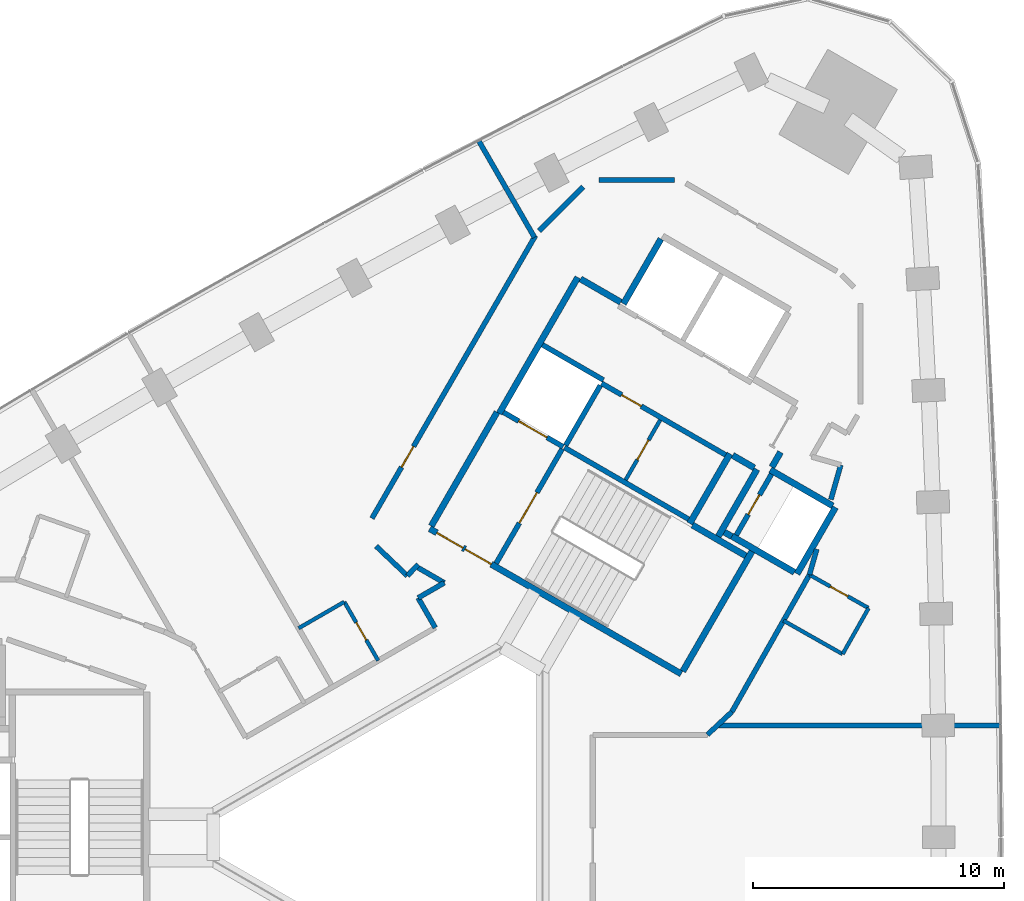
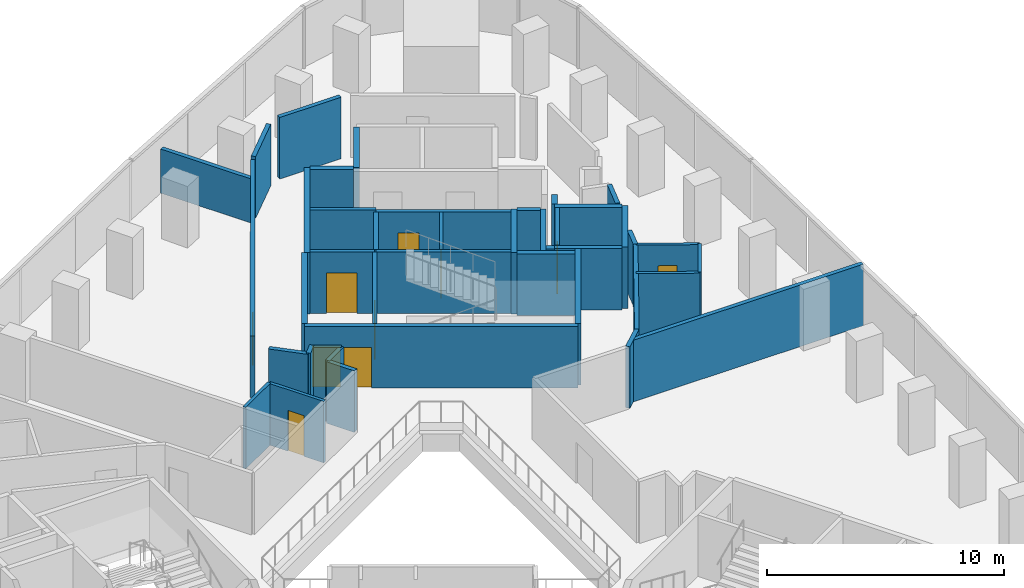
# One storey, part 10 of 12: 42 walls, 10 doors, 10 openings.
"""IFC4 building model written with IfcOpenShell, lengths in metres."""

from ifc_helpers import new_model, si_unit, direction, frame, frame_2d, origin, place, context, subcontext, project, spatial, rectangle, extrude, material, layer, layer_set, type_object, element, fill, save


model = new_model("IFC4")

# Units and contexts
model_context = context("Model", 3, precision=1e-05, world=origin(), true_north=direction((0.0, 1.0)))
body_context = subcontext(model_context, "Body", "Model", "MODEL_VIEW")
ifc_project = project(units=[si_unit("LENGTHUNIT", "METRE"), si_unit("AREAUNIT", "SQUARE_METRE"), si_unit("VOLUMEUNIT", "CUBIC_METRE"), si_unit("PLANEANGLEUNIT", "RADIAN"), si_unit("MASSUNIT", "GRAM", prefix="KILO")], contexts=[model_context])

# Site, building, storey
site_placement = place(None, origin())
site = spatial("IfcSite", under=ifc_project, at=site_placement, CompositionType="ELEMENT")
building_placement = place(site_placement, origin())
building = spatial("IfcBuilding", under=site, at=building_placement, Name="Tamra Quay Hotel Tower", CompositionType="ELEMENT")
storey_placement = place(building_placement, frame((0.0, 0.0, 104.60009765625)))
storey = spatial("IfcBuildingStorey", under=building, at=storey_placement, Name="L25", CompositionType="ELEMENT", Elevation=104.60009765625)

# Wall
ifc_material_1 = material(Name="Concrete M70", Category="concrete")
ifc_layer_1 = layer(ifc_material_1, 0.199951171875)
ifc_layer_set_1 = layer_set([ifc_layer_1], Name="Concrete M70 core wall 200")
wall_type_1 = type_object("IfcWallType", Name="Concrete M70 core wall 200", PredefinedType="SHEAR", material=ifc_layer_set_1)
wall_1_placement = place(storey_placement, frame((5.774658203125, 15.501953125, 0.0), z_axis=(0.0, 0.0, 1.0), x_axis=(0.866020080793, -0.500009219579, 0.0)))
element("IfcWall", 1, at=wall_1_placement, inside=storey, type_object=wall_type_1, Name="CW2", PredefinedType="SHEAR", context=body_context, shape_type="SweptSolid", body=[
    extrude(rectangle(XDim=5.69921875, YDim=0.199951171875, at=frame_2d((2.849609375, 0.0))), origin(), (0.0, 0.0, 1.0), 3.1748046875),
])

# Wall, opening, door
wall_2_placement = place(storey_placement, frame((12.18505859375, 15.20703125, 0.0), z_axis=(0.0, 0.0, 1.0), x_axis=(-0.866020080793, 0.500009219579, 0.0)))
wall_2 = element("IfcWall", 2, at=wall_2_placement, inside=storey, type_object=wall_type_1, Name="CW2", PredefinedType="SHEAR", context=body_context, shape_type="SweptSolid", body=[
    extrude(rectangle(XDim=5.69921875, YDim=0.199951171875, at=frame_2d((2.849609375, 0.0))), origin(), (0.0, 0.0, 1.0), 3.1748046875),
])
opening_1_placement = place(wall_2_placement, frame((3.8740234375, 0.0, 0.0)))
opening_1 = element("IfcOpeningElement", 3, at=opening_1_placement, cuts=wall_2, Name="Opening D2", PredefinedType="OPENING", context=body_context, shape_type="SweptSolid", body=[
    extrude(rectangle(XDim=0.89990234375, YDim=2.10009765625, at=frame_2d((0.449951171875, 1.050048828125))), frame((0.0, 0.10986328125, 0.0), z_axis=(0.0, -1.0, 0.0), x_axis=(1.0, 0.0, 0.0)), (0.0, 0.0, 1.0), 0.219970703125),
])
ifc_material_2 = material(Name="Core door D2 900x2100 LH")
door_type_1 = type_object("IfcDoorType", Name="Core door D2 900x2100 LH", OperationType="NOTDEFINED", PredefinedType="DOOR", material=ifc_material_2)
door_1_placement = place(opening_1_placement, origin())
door_1 = element("IfcDoor", 4, at=door_1_placement, inside=storey, type_object=door_type_1, Name="D2", OperationType="SINGLE_SWING_LEFT", OverallHeight=2.10009765625, OverallWidth=0.89990234375, PredefinedType="DOOR", context=body_context, shape_type="SweptSolid", body=[
    extrude(rectangle(XDim=0.89990234375, YDim=2.10009765625, at=frame_2d((0.449951171875, 1.050048828125))), frame((0.0, 0.02490234375, 0.0), z_axis=(0.0, -1.0, 0.0), x_axis=(1.0, 0.0, 0.0)), (0.0, 0.0, 1.0), 0.050048828125),
])
fill(opening_1, door_1)

wall_3_placement = place(storey_placement, frame((3.056640625, 10.89453125, 0.0), z_axis=(0.0, 0.0, 1.0), x_axis=(0.499989418164, 0.866031513124, 0.0)))
wall_3 = element("IfcWall", 5, at=wall_3_placement, inside=storey, type_object=wall_type_1, Name="CW2", PredefinedType="SHEAR", context=body_context, shape_type="SweptSolid", body=[
    extrude(rectangle(XDim=5.2509765625, YDim=0.199951171875, at=frame_2d((2.62548828125, 0.0))), origin(), (0.0, 0.0, 1.0), 3.1748046875),
])
opening_2_placement = place(wall_3_placement, frame((1.84912109375, 0.0, 0.0)))
opening_2 = element("IfcOpeningElement", 6, at=opening_2_placement, cuts=wall_3, Name="Opening FD2", PredefinedType="OPENING", context=body_context, shape_type="SweptSolid", body=[
    extrude(rectangle(XDim=1.39990234375, YDim=2.10009765625, at=frame_2d((0.699951171875, 1.050048828125))), frame((0.0, 0.10986328125, 0.0), z_axis=(0.0, -1.0, 0.0), x_axis=(1.0, 0.0, 0.0)), (0.0, 0.0, 1.0), 0.219970703125),
])
ifc_material_3 = material(Name="Core door FD2 1400x2100 RH")
door_type_2 = type_object("IfcDoorType", Name="Core door FD2 1400x2100 RH", OperationType="NOTDEFINED", PredefinedType="DOOR", material=ifc_material_3)
door_2_placement = place(opening_2_placement, origin())
door_2 = element("IfcDoor", 7, at=door_2_placement, inside=storey, type_object=door_type_2, Name="FD2", OperationType="SINGLE_SWING_RIGHT", OverallHeight=2.10009765625, OverallWidth=1.39990234375, PredefinedType="DOOR", context=body_context, shape_type="SweptSolid", body=[
    extrude(rectangle(XDim=1.39990234375, YDim=2.10009765625, at=frame_2d((0.699951171875, 1.050048828125))), frame((0.0, 0.02490234375, 0.0), z_axis=(0.0, -1.0, 0.0), x_axis=(1.0, 0.0, 0.0)), (0.0, 0.0, 1.0), 0.050048828125),
])
fill(opening_2, door_2)

wall_4_placement = place(storey_placement, frame((14.0078125, 14.442138671875, 0.0), z_axis=(0.0, 0.0, 1.0), x_axis=(-0.499986818241, -0.866033014143, 0.0)))
wall_4 = element("IfcWall", 8, at=wall_4_placement, inside=storey, type_object=wall_type_1, Name="CW2", PredefinedType="SHEAR", context=body_context, shape_type="SweptSolid", body=[
    extrude(rectangle(XDim=2.7978515625, YDim=0.199951171875, at=frame_2d((1.39892578125, 0.0))), origin(), (0.0, 0.0, 1.0), 3.1748046875),
])
opening_3_placement = place(wall_4_placement, frame((0.948974609375, 0.0, 0.0)))
opening_3 = element("IfcOpeningElement", 9, at=opening_3_placement, cuts=wall_4, Name="Opening D1", PredefinedType="OPENING", context=body_context, shape_type="SweptSolid", body=[
    extrude(rectangle(XDim=0.89990234375, YDim=2.10009765625, at=frame_2d((0.449951171875, 1.050048828125))), frame((0.0, 0.10986328125, 0.0), z_axis=(0.0, -1.0, 0.0), x_axis=(1.0, 0.0, 0.0)), (0.0, 0.0, 1.0), 0.219970703125),
])
ifc_material_4 = material(Name="Core door D1 900x2100 RH")
door_type_3 = type_object("IfcDoorType", Name="Core door D1 900x2100 RH", OperationType="NOTDEFINED", PredefinedType="DOOR", material=ifc_material_4)
door_3_placement = place(opening_3_placement, origin())
door_3 = element("IfcDoor", 10, at=door_3_placement, inside=storey, type_object=door_type_3, Name="D1", OperationType="SINGLE_SWING_RIGHT", OverallHeight=2.10009765625, OverallWidth=0.89990234375, PredefinedType="DOOR", context=body_context, shape_type="SweptSolid", body=[
    extrude(rectangle(XDim=0.89990234375, YDim=2.10009765625, at=frame_2d((0.449951171875, 1.050048828125))), frame((0.0, 0.02490234375, 0.0), z_axis=(0.0, -1.0, 0.0), x_axis=(1.0, 0.0, 0.0)), (0.0, 0.0, 1.0), 0.050048828125),
])
fill(opening_3, door_3)

# Wall
wall_5_placement = place(storey_placement, frame((7.199462890625, 17.969970703125, 0.0), z_axis=(0.0, 0.0, 1.0), x_axis=(-0.499968400327, -0.866043647095, 0.0)))
element("IfcWall", 11, at=wall_5_placement, inside=storey, type_object=wall_type_1, Name="CW2", PredefinedType="SHEAR", context=body_context, shape_type="SweptSolid", body=[
    extrude(rectangle(XDim=2.749755859375, YDim=0.199951171875, at=frame_2d((1.375, 0.0))), origin(), (0.0, 0.0, 1.0), 3.1748046875),
])

# Wall, opening, door
wall_6_placement = place(storey_placement, frame((5.72509765625, 15.530517578125, 0.0), z_axis=(0.0, 0.0, 1.0), x_axis=(-0.866037306777, 0.499979382845, 0.0)))
wall_6 = element("IfcWall", 12, at=wall_6_placement, inside=storey, type_object=wall_type_1, Name="CW2", PredefinedType="SHEAR", context=body_context, shape_type="SweptSolid", body=[
    extrude(rectangle(XDim=2.74169921875, YDim=0.199951171875, at=frame_2d((1.370849609375, 0.0))), origin(), (0.0, 0.0, 1.0), 3.1748046875),
])
opening_4_placement = place(wall_6_placement, frame((0.742919921875, 0.0, 0.0)))
opening_4 = element("IfcOpeningElement", 13, at=opening_4_placement, cuts=wall_6, Name="Opening LD", PredefinedType="OPENING", context=body_context, shape_type="SweptSolid", body=[
    extrude(rectangle(XDim=1.300048828125, YDim=2.10009765625, at=frame_2d((0.64990234375, 1.050048828125))), frame((0.0, 0.10986328125, 0.0), z_axis=(0.0, -1.0, 0.0), x_axis=(1.0, 0.0, 0.0)), (0.0, 0.0, 1.0), 0.219970703125),
])
ifc_material_5 = material(Name="Landing door LD 1300 sliding to right")
door_type_4 = type_object("IfcDoorType", Name="Landing door LD 1300 sliding to right", OperationType="NOTDEFINED", PredefinedType="DOOR", material=ifc_material_5)
door_4_placement = place(opening_4_placement, origin())
door_4 = element("IfcDoor", 14, at=door_4_placement, inside=storey, type_object=door_type_4, Name="LD", OperationType="SLIDING_TO_RIGHT", OverallHeight=2.10009765625, OverallWidth=1.300048828125, PredefinedType="DOOR", context=body_context, shape_type="SweptSolid", body=[
    extrude(rectangle(XDim=1.300048828125, YDim=2.10009765625, at=frame_2d((0.64990234375, 1.050048828125))), frame((0.0, 0.02490234375, 0.0), z_axis=(0.0, -1.0, 0.0), x_axis=(1.0, 0.0, 0.0)), (0.0, 0.0, 1.0), 0.050048828125),
])
fill(opening_4, door_4)

# Wall
wall_7_placement = place(storey_placement, frame((4.900634765625, 19.5859375, 0.0), z_axis=(0.0, 0.0, 1.0), x_axis=(0.866022890907, -0.500004352405, 0.0)))
element("IfcWall", 15, at=wall_7_placement, inside=storey, type_object=wall_type_1, Name="CW2", PredefinedType="SHEAR", context=body_context, shape_type="SweptSolid", body=[
    extrude(rectangle(XDim=2.798828125, YDim=0.199951171875, at=frame_2d((1.3994140625, 0.0))), origin(), (0.0, 0.0, 1.0), 3.1748046875),
])

# Wall, openings, doors
ifc_layer_2 = layer(ifc_material_1, 0.25)
ifc_layer_set_2 = layer_set([ifc_layer_2], Name="Concrete M70 core wall 250")
wall_type_2 = type_object("IfcWallType", Name="Concrete M70 core wall 250", PredefinedType="SHEAR", material=ifc_layer_set_2)
wall_8_placement = place(storey_placement, frame((10.419921875, 6.497802734375, 0.0), z_axis=(0.0, 0.0, 1.0), x_axis=(-0.866021906294, 0.500006057782, 0.0)))
wall_8 = element("IfcWall", 16, at=wall_8_placement, inside=storey, type_object=wall_type_2, Name="CW1", PredefinedType="SHEAR", context=body_context, shape_type="SweptSolid", body=[
    extrude(rectangle(XDim=11.550048828125, YDim=0.25, at=frame_2d((5.77490234375, 0.0))), origin(), (0.0, 0.0, 1.0), 3.1748046875),
])
opening_5_placement = place(wall_8_placement, frame((10.02490234375, 0.0, 0.0)))
opening_5 = element("IfcOpeningElement", 17, at=opening_5_placement, cuts=wall_8, Name="Opening FD1", PredefinedType="OPENING", context=body_context, shape_type="SweptSolid", body=[
    extrude(rectangle(XDim=1.199951171875, YDim=2.10009765625, at=frame_2d((0.60009765625, 1.050048828125))), frame((0.0, 0.135009765625, 0.0), z_axis=(0.0, -1.0, 0.0), x_axis=(1.0, 0.0, 0.0)), (0.0, 0.0, 1.0), 0.27001953125),
])
opening_6_placement = place(wall_8_placement, frame((8.724853515625, 0.0, 0.0)))
opening_6 = element("IfcOpeningElement", 18, at=opening_6_placement, cuts=wall_8, Name="Opening FD1", PredefinedType="OPENING", context=body_context, shape_type="SweptSolid", body=[
    extrude(rectangle(XDim=1.199951171875, YDim=2.10009765625, at=frame_2d((0.60009765625, 1.050048828125))), frame((0.0, 0.135009765625, 0.0), z_axis=(0.0, -1.0, 0.0), x_axis=(1.0, 0.0, 0.0)), (0.0, 0.0, 1.0), 0.27001953125),
])
ifc_material_6 = material(Name="Core door FD1 1200x2100 LH")
door_type_5 = type_object("IfcDoorType", Name="Core door FD1 1200x2100 LH", OperationType="NOTDEFINED", PredefinedType="DOOR", material=ifc_material_6)
door_5_placement = place(opening_5_placement, origin())
door_5 = element("IfcDoor", 19, at=door_5_placement, inside=storey, type_object=door_type_5, Name="FD1", OperationType="SINGLE_SWING_LEFT", OverallHeight=2.10009765625, OverallWidth=1.199951171875, PredefinedType="DOOR", context=body_context, shape_type="SweptSolid", body=[
    extrude(rectangle(XDim=1.199951171875, YDim=2.10009765625, at=frame_2d((0.60009765625, 1.050048828125))), frame((0.0, 0.02490234375, 0.0), z_axis=(0.0, -1.0, 0.0), x_axis=(1.0, 0.0, 0.0)), (0.0, 0.0, 1.0), 0.050048828125),
])
fill(opening_5, door_5)
ifc_material_7 = material(Name="Core door FD1 1200x2100 RH")
door_type_6 = type_object("IfcDoorType", Name="Core door FD1 1200x2100 RH", OperationType="NOTDEFINED", PredefinedType="DOOR", material=ifc_material_7)
door_6_placement = place(opening_6_placement, origin())
door_6 = element("IfcDoor", 20, at=door_6_placement, inside=storey, type_object=door_type_6, Name="FD1", OperationType="SINGLE_SWING_RIGHT", OverallHeight=2.10009765625, OverallWidth=1.199951171875, PredefinedType="DOOR", context=body_context, shape_type="SweptSolid", body=[
    extrude(rectangle(XDim=1.199951171875, YDim=2.10009765625, at=frame_2d((0.60009765625, 1.050048828125))), frame((0.0, 0.02490234375, 0.0), z_axis=(0.0, -1.0, 0.0), x_axis=(1.0, 0.0, 0.0)), (0.0, 0.0, 1.0), 0.050048828125),
])
fill(opening_6, door_6)

# Walls
wall_9_placement = place(storey_placement, frame((3.178955078125, 16.856201171875, 0.0), z_axis=(0.0, 0.0, 1.0), x_axis=(0.500004234368, 0.866022959057, 0.0)))
element("IfcWall", 21, at=wall_9_placement, inside=storey, type_object=wall_type_2, Name="CW1", PredefinedType="SHEAR", context=body_context, shape_type="SweptSolid", body=[
    extrude(rectangle(XDim=6.25, YDim=0.25, at=frame_2d((3.125, 0.0))), origin(), (0.0, 0.0, 1.0), 3.1748046875),
])
wall_10_placement = place(storey_placement, frame((0.47998046875, 12.38134765625, 0.0), z_axis=(0.0, 0.0, 1.0), x_axis=(0.49999885962, 0.866026062182, 0.0)))
element("IfcWall", 22, at=wall_10_placement, inside=storey, type_object=wall_type_2, Name="CW1", PredefinedType="SHEAR", context=body_context, shape_type="SweptSolid", body=[
    extrude(rectangle(XDim=5.224609375, YDim=0.25, at=frame_2d((2.6123046875, 0.0))), origin(), (0.0, 0.0, 1.0), 3.1748046875),
])
wall_11_placement = place(storey_placement, frame((13.237548828125, 11.3779296875, 0.0), z_axis=(0.0, 0.0, 1.0), x_axis=(-0.500008851346, -0.866020293397, 0.0)))
element("IfcWall", 23, at=wall_11_placement, inside=storey, type_object=wall_type_2, Name="CW1", PredefinedType="SHEAR", context=body_context, shape_type="SweptSolid", body=[
    extrude(rectangle(XDim=5.509765625, YDim=0.25, at=frame_2d((2.7548828125, 0.0))), origin(), (0.0, 0.0, 1.0), 3.1748046875),
])
wall_12_placement = place(storey_placement, frame((12.356689453125, 15.25244140625, 0.0), z_axis=(0.0, 0.0, 1.0), x_axis=(-0.500028443584, -0.866008981251, 0.0)))
element("IfcWall", 24, at=wall_12_placement, inside=storey, type_object=wall_type_2, Name="CW1", PredefinedType="SHEAR", context=body_context, shape_type="SweptSolid", body=[
    extrude(rectangle(XDim=3.199951171875, YDim=0.25, at=frame_2d((1.60009765625, 0.0))), origin(), (0.0, 0.0, 1.0), 3.1748046875),
])
wall_13_placement = place(storey_placement, frame((8.12255859375, 21.21875, 0.0), z_axis=(0.0, 0.0, 1.0), x_axis=(0.499987686533, 0.866032512851, 0.0)))
element("IfcWall", 25, at=wall_13_placement, inside=storey, type_object=wall_type_2, Name="CW1", PredefinedType="SHEAR", context=body_context, shape_type="SweptSolid", body=[
    extrude(rectangle(XDim=2.974609375, YDim=0.25, at=frame_2d((1.4873046875, 0.0))), origin(), (0.0, 0.0, 1.0), 3.1748046875),
])
wall_14_placement = place(storey_placement, frame((16.552001953125, 13.118896484375, 0.0), z_axis=(0.0, 0.0, 1.0), x_axis=(-0.499978833458, -0.866037623948, 0.0)))
element("IfcWall", 26, at=wall_14_placement, inside=storey, type_object=wall_type_2, Name="CW1", PredefinedType="SHEAR", context=body_context, shape_type="SweptSolid", body=[
    extrude(rectangle(XDim=3.050048828125, YDim=0.25, at=frame_2d((1.52490234375, 0.0))), origin(), (0.0, 0.0, 1.0), 3.1748046875),
])
wall_15_placement = place(storey_placement, frame((14.91845703125, 10.540283203125, 0.0), z_axis=(0.0, 0.0, 1.0), x_axis=(-0.866063538972, 0.499933942099, 0.0)))
element("IfcWall", 27, at=wall_15_placement, inside=storey, type_object=wall_type_2, Name="CW1", PredefinedType="SHEAR", context=body_context, shape_type="SweptSolid", body=[
    extrude(rectangle(XDim=2.86474609375, YDim=0.25, at=frame_2d((1.432373046875, 0.0))), origin(), (0.0, 0.0, 1.0), 3.1748046875),
])
wall_16_placement = place(storey_placement, frame((13.962646484375, 14.61376953125, 0.0), z_axis=(0.0, 0.0, 1.0), x_axis=(0.866042235819, -0.499970844928, 0.0)))
element("IfcWall", 28, at=wall_16_placement, inside=storey, type_object=wall_type_2, Name="CW1", PredefinedType="SHEAR", context=body_context, shape_type="SweptSolid", body=[
    extrude(rectangle(XDim=2.864501953125, YDim=0.25, at=frame_2d((1.43212890625, 0.0))), origin(), (0.0, 0.0, 1.0), 3.1748046875),
])
wall_17_placement = place(storey_placement, frame((11.887939453125, 11.960693359375, 0.0), z_axis=(0.0, 0.0, 1.0), x_axis=(0.500003324108, 0.866023484601, 0.0)))
element("IfcWall", 29, at=wall_17_placement, inside=storey, type_object=wall_type_2, Name="CW1", PredefinedType="SHEAR", context=body_context, shape_type="SweptSolid", body=[
    extrude(rectangle(XDim=3.0849609375, YDim=0.25, at=frame_2d((1.54248046875, 0.0))), origin(), (0.0, 0.0, 1.0), 3.1748046875),
])
wall_18_placement = place(storey_placement, frame((10.865234375, 12.41845703125, 0.0), z_axis=(0.0, 0.0, 1.0), x_axis=(0.866026229868, -0.499998569178, 0.0)))
element("IfcWall", 30, at=wall_18_placement, inside=storey, type_object=wall_type_2, Name="CW1", PredefinedType="SHEAR", context=body_context, shape_type="SweptSolid", body=[
    extrude(rectangle(XDim=2.44921875, YDim=0.25, at=frame_2d((1.224609375, 0.0))), origin(), (0.0, 0.0, 1.0), 3.1748046875),
])
wall_19_placement = place(storey_placement, frame((6.41259765625, 22.2060546875, 0.0), z_axis=(0.0, 0.0, 1.0), x_axis=(0.866016279763, -0.500015802937, 0.0)))
element("IfcWall", 31, at=wall_19_placement, inside=storey, type_object=wall_type_2, Name="CW1", PredefinedType="SHEAR", context=body_context, shape_type="SweptSolid", body=[
    extrude(rectangle(XDim=1.84912109375, YDim=0.25, at=frame_2d((0.924560546875, 0.0))), origin(), (0.0, 0.0, 1.0), 3.1748046875),
])
wall_20_placement = place(storey_placement, frame((13.322021484375, 14.695068359375, 0.0), z_axis=(0.0, 0.0, 1.0), x_axis=(-0.866017078145, 0.500014420154, 0.0)))
element("IfcWall", 32, at=wall_20_placement, inside=storey, type_object=wall_type_2, Name="CW1", PredefinedType="SHEAR", context=body_context, shape_type="SweptSolid", body=[
    extrude(rectangle(XDim=0.9892578125, YDim=0.25, at=frame_2d((0.49462890625, 0.0))), origin(), (0.0, 0.0, 1.0), 3.1748046875),
])
wall_21_placement = place(storey_placement, frame((14.36767578125, 15.3154296875, 0.0), z_axis=(0.0, 0.0, 1.0), x_axis=(-0.499897359611, -0.866084655132, 0.0)))
element("IfcWall", 33, at=wall_21_placement, inside=storey, type_object=wall_type_2, Name="CW1", PredefinedType="SHEAR", context=body_context, shape_type="SweptSolid", body=[
    extrude(rectangle(XDim=0.684814453125, YDim=0.25, at=frame_2d((0.34228515625, 0.0))), origin(), (0.0, 0.0, 1.0), 3.1748046875),
])
wall_22_placement = place(storey_placement, frame((12.4326171875, 11.9638671875, 0.0), z_axis=(0.0, 0.0, 1.0), x_axis=(-0.866055875208, 0.499947218231, 0.0)))
element("IfcWall", 34, at=wall_22_placement, inside=storey, type_object=wall_type_2, Name="CW1", PredefinedType="SHEAR", context=body_context, shape_type="SweptSolid", body=[
    extrude(rectangle(XDim=0.3447265625, YDim=0.25, at=frame_2d((0.17236328125, 0.0))), origin(), (0.0, 0.0, 1.0), 3.1748046875),
])

# Wall, opening, door
ifc_material_8 = material(Name="Blockwork", Category="masonry")
ifc_layer_3 = layer(ifc_material_8, 0.14990234375)
ifc_layer_set_3 = layer_set([ifc_layer_3], Name="Core partition block 150")
wall_type_3 = type_object("IfcWallType", Name="Core partition block 150", PredefinedType="PARTITIONING", material=ifc_layer_set_3)
wall_23_placement = place(storey_placement, frame((8.20654296875, 14.214111328125, 0.0), z_axis=(0.0, 0.0, 1.0), x_axis=(0.499922376475, 0.866070215109, 0.0)))
wall_23 = element("IfcWall", 35, at=wall_23_placement, inside=storey, type_object=wall_type_3, Name="CP1", PredefinedType="PARTITIONING", context=body_context, shape_type="SweptSolid", body=[
    extrude(rectangle(XDim=2.74853515625, YDim=0.14990234375, at=frame_2d((1.374267578125, 0.0))), origin(), (0.0, 0.0, 1.0), 3.1748046875),
])
opening_7_placement = place(wall_23_placement, frame((0.92431640625, 0.0, 0.0)))
opening_7 = element("IfcOpeningElement", 36, at=opening_7_placement, cuts=wall_23, Name="Opening D2", PredefinedType="OPENING", context=body_context, shape_type="SweptSolid", body=[
    extrude(rectangle(XDim=0.89990234375, YDim=2.10009765625, at=frame_2d((0.449951171875, 1.050048828125))), frame((0.0, 0.0849609375, 0.0), z_axis=(0.0, -1.0, 0.0), x_axis=(1.0, 0.0, 0.0)), (0.0, 0.0, 1.0), 0.169921875),
])
door_7_placement = place(opening_7_placement, origin())
door_7 = element("IfcDoor", 37, at=door_7_placement, inside=storey, type_object=door_type_1, Name="D2", OperationType="SINGLE_SWING_LEFT", OverallHeight=2.10009765625, OverallWidth=0.89990234375, PredefinedType="DOOR", context=body_context, shape_type="SweptSolid", body=[
    extrude(rectangle(XDim=0.89990234375, YDim=2.10009765625, at=frame_2d((0.449951171875, 1.050048828125))), frame((0.0, 0.02490234375, 0.0), z_axis=(0.0, -1.0, 0.0), x_axis=(1.0, 0.0, 0.0)), (0.0, 0.0, 1.0), 0.050048828125),
])
fill(opening_7, door_7)

ifc_material_9 = material(Name="Partition corridor wall")
ifc_layer_4 = layer(ifc_material_9, 0.199951171875)
ifc_layer_set_4 = layer_set([ifc_layer_4], Name="Partition corridor wall")
wall_type_4 = type_object("IfcWallType", Name="Partition corridor wall", PredefinedType="PARTITIONING", material=ifc_layer_set_4)
wall_24_placement = place(storey_placement, frame((-1.880615234375, 12.685546875, 0.0), z_axis=(0.0, 0.0, 1.0), x_axis=(0.500626612016, 0.865663326786, 0.0)))
wall_24 = element("IfcWall", 38, at=wall_24_placement, inside=storey, type_object=wall_type_4, Name="W-C", PredefinedType="PARTITIONING", context=body_context, shape_type="SweptSolid", body=[
    extrude(rectangle(XDim=12.992919921875, YDim=0.199951171875, at=frame_2d((6.49658203125, 0.0))), origin(), (0.0, 0.0, 1.0), 3.1748046875),
])
opening_8_placement = place(wall_24_placement, frame((2.35009765625, 0.0, 0.0)))
opening_8 = element("IfcOpeningElement", 39, at=opening_8_placement, cuts=wall_24, Name="Opening L25-D004", PredefinedType="OPENING", context=body_context, shape_type="SweptSolid", body=[
    extrude(rectangle(XDim=0.949951171875, YDim=2.10009765625, at=frame_2d((0.47509765625, 1.050048828125))), frame((0.0, 0.10986328125, 0.0), z_axis=(0.0, -1.0, 0.0), x_axis=(1.0, 0.0, 0.0)), (0.0, 0.0, 1.0), 0.219970703125),
])
ifc_material_10 = material(Name="Door guest room 950x2100")
door_type_7 = type_object("IfcDoorType", Name="Door guest room 950x2100", OperationType="NOTDEFINED", PredefinedType="DOOR", material=ifc_material_10)
door_8_placement = place(opening_8_placement, origin())
door_8 = element("IfcDoor", 40, at=door_8_placement, inside=storey, type_object=door_type_7, Name="L25-D004", OperationType="SINGLE_SWING_LEFT", OverallHeight=2.10009765625, OverallWidth=0.949951171875, PredefinedType="DOOR", context=body_context, shape_type="SweptSolid", body=[
    extrude(rectangle(XDim=0.949951171875, YDim=2.10009765625, at=frame_2d((0.47509765625, 1.050048828125))), frame((0.0, 0.02490234375, 0.0), z_axis=(0.0, -1.0, 0.0), x_axis=(1.0, 0.0, 0.0)), (0.0, 0.0, 1.0), 0.050048828125),
])
fill(opening_8, door_8)

# Walls
wall_25_placement = place(storey_placement, frame((-1.716064453125, 11.580078125, 0.0), z_axis=(0.0, 0.0, 1.0), x_axis=(0.725241197616, -0.68849488399, 0.0)))
element("IfcWall", 41, at=wall_25_placement, inside=storey, type_object=wall_type_4, Name="W-C", PredefinedType="PARTITIONING", context=body_context, shape_type="SweptSolid", body=[
    extrude(rectangle(XDim=1.714111328125, YDim=0.199951171875, at=frame_2d((0.85693359375, 0.0))), origin(), (0.0, 0.0, 1.0), 3.1748046875),
])
wall_26_placement = place(storey_placement, frame((-0.472900390625, 10.39990234375, 0.0), z_axis=(0.0, 0.0, 1.0), x_axis=(0.688997330597, 0.724763877708, 0.0)))
element("IfcWall", 42, at=wall_26_placement, inside=storey, type_object=wall_type_4, Name="W-C", PredefinedType="PARTITIONING", context=body_context, shape_type="SweptSolid", body=[
    extrude(rectangle(XDim=0.62109375, YDim=0.199951171875, at=frame_2d((0.310546875, 0.0))), origin(), (0.0, 0.0, 1.0), 3.1748046875),
])
wall_27_placement = place(storey_placement, frame((-0.044921875, 9.52099609375, 0.0), z_axis=(0.0, 0.0, 1.0), x_axis=(0.499804837697, -0.866138051476, 0.0)))
element("IfcWall", 43, at=wall_27_placement, inside=storey, type_object=wall_type_4, Name="W-C", PredefinedType="PARTITIONING", context=body_context, shape_type="SweptSolid", body=[
    extrude(rectangle(XDim=1.3681640625, YDim=0.199951171875, at=frame_2d((0.68408203125, 0.0))), origin(), (0.0, 0.0, 1.0), 3.1748046875),
])
wall_28_placement = place(storey_placement, frame((-0.044921875, 9.52197265625, 0.0), z_axis=(0.0, 0.0, 1.0), x_axis=(0.86625675314, 0.499599076899, 0.0)))
element("IfcWall", 44, at=wall_28_placement, inside=storey, type_object=wall_type_4, Name="W-C", PredefinedType="PARTITIONING", context=body_context, shape_type="SweptSolid", body=[
    extrude(rectangle(XDim=1.19921875, YDim=0.199951171875, at=frame_2d((0.599609375, 0.0))), origin(), (0.0, 0.0, 1.0), 3.1748046875),
])
wall_29_placement = place(storey_placement, frame((-0.044921875, 10.720947265625, 0.0), z_axis=(0.0, 0.0, 1.0), x_axis=(0.865992388649, -0.500057179532, 0.0)))
element("IfcWall", 45, at=wall_29_placement, inside=storey, type_object=wall_type_4, Name="W-C", PredefinedType="PARTITIONING", context=body_context, shape_type="SweptSolid", body=[
    extrude(rectangle(XDim=1.199462890625, YDim=0.199951171875, at=frame_2d((0.599609375, 0.0))), origin(), (0.0, 0.0, 1.0), 3.1748046875),
])
wall_30_placement = place(storey_placement, frame((4.76708984375, 24.117919921875, 0.0), z_axis=(0.0, 0.0, 1.0), x_axis=(0.7069095133, 0.707303994055, 0.0)))
element("IfcWall", 46, at=wall_30_placement, inside=storey, type_object=wall_type_4, Name="W-C", PredefinedType="PARTITIONING", context=body_context, shape_type="SweptSolid", body=[
    extrude(rectangle(XDim=2.4755859375, YDim=0.199951171875, at=frame_2d((1.23779296875, 0.0))), origin(), (0.0, 0.0, 1.0), 3.1748046875),
])
wall_31_placement = place(storey_placement, frame((7.154052734375, 26.132080078125, 0.0), z_axis=(0.0, 0.0, 1.0), x_axis=(1.0, 0.0, 0.0)))
element("IfcWall", 47, at=wall_31_placement, inside=storey, type_object=wall_type_4, Name="W-C", PredefinedType="PARTITIONING", context=body_context, shape_type="SweptSolid", body=[
    extrude(rectangle(XDim=3.0, YDim=0.199951171875, at=frame_2d((1.5, 0.0))), origin(), (0.0, 0.0, 1.0), 3.1748046875),
])
wall_32_placement = place(storey_placement, frame((11.4580078125, 4.077880859375, 0.0), z_axis=(0.0, 0.0, 1.0), x_axis=(0.73011257202, 0.683326885303, 0.0)))
element("IfcWall", 48, at=wall_32_placement, inside=storey, type_object=wall_type_4, Name="W-C", PredefinedType="PARTITIONING", context=body_context, shape_type="SweptSolid", body=[
    extrude(rectangle(XDim=1.3359375, YDim=0.199951171875, at=frame_2d((0.66796875, 0.0))), origin(), (0.0, 0.0, 1.0), 3.1748046875),
])
wall_33_placement = place(storey_placement, frame((12.43310546875, 4.991943359375, 0.0), z_axis=(0.0, 0.0, 1.0), x_axis=(0.492542536731, 0.870288371467, 0.0)))
element("IfcWall", 49, at=wall_33_placement, inside=storey, type_object=wall_type_4, Name="W-C", PredefinedType="PARTITIONING", context=body_context, shape_type="SweptSolid", body=[
    extrude(rectangle(XDim=6.265380859375, YDim=0.199951171875, at=frame_2d((3.1328125, 0.0))), origin(), (0.0, 0.0, 1.0), 3.1748046875),
])
wall_34_placement = place(storey_placement, frame((15.518310546875, 10.444580078125, 0.0), z_axis=(0.0, 0.0, 1.0), x_axis=(0.274476999991, 0.961593664952, 0.0)))
element("IfcWall", 50, at=wall_34_placement, inside=storey, type_object=wall_type_4, Name="W-C", PredefinedType="PARTITIONING", context=body_context, shape_type="SweptSolid", body=[
    extrude(rectangle(XDim=1.056640625, YDim=0.199951171875, at=frame_2d((0.5283203125, 0.0))), origin(), (0.0, 0.0, 1.0), 3.1748046875),
])
wall_35_placement = place(storey_placement, frame((16.3720703125, 13.4365234375, 0.0), z_axis=(0.0, 0.0, 1.0), x_axis=(0.274291171902, 0.961646688247, 0.0)))
element("IfcWall", 51, at=wall_35_placement, inside=storey, type_object=wall_type_4, Name="W-C", PredefinedType="PARTITIONING", context=body_context, shape_type="SweptSolid", body=[
    extrude(rectangle(XDim=1.425048828125, YDim=0.199951171875, at=frame_2d((0.71240234375, 0.0))), origin(), (0.0, 0.0, 1.0), 3.1748046875),
])
ifc_material_11 = material(Name="Partition en-suite wall")
ifc_layer_5 = layer(ifc_material_11, 0.14990234375)
ifc_layer_set_5 = layer_set([ifc_layer_5], Name="Partition en-suite wall")
wall_type_5 = type_object("IfcWallType", Name="Partition en-suite wall", PredefinedType="PARTITIONING", material=ifc_layer_set_5)
wall_36_placement = place(storey_placement, frame((-4.800048828125, 8.31396484375, 0.0), z_axis=(0.0, 0.0, 1.0), x_axis=(0.866036389889, 0.499980971027, 0.0)))
element("IfcWall", 52, at=wall_36_placement, inside=storey, type_object=wall_type_5, Name="W-E", PredefinedType="PARTITIONING", context=body_context, shape_type="SweptSolid", body=[
    extrude(rectangle(XDim=2.09814453125, YDim=0.14990234375, at=frame_2d((1.049072265625, 0.0))), origin(), (0.0, 0.0, 1.0), 3.1748046875),
])

# Wall, opening, door
wall_37_placement = place(storey_placement, frame((-2.97998046875, 9.362060546875, 0.0), z_axis=(0.0, 0.0, 1.0), x_axis=(0.499947162696, -0.866055907267, 0.0)))
wall_37 = element("IfcWall", 53, at=wall_37_placement, inside=storey, type_object=wall_type_5, Name="W-E", PredefinedType="PARTITIONING", context=body_context, shape_type="SweptSolid", body=[
    extrude(rectangle(XDim=2.696044921875, YDim=0.14990234375, at=frame_2d((1.34814453125, 0.0))), origin(), (0.0, 0.0, 1.0), 3.1748046875),
])
opening_9_placement = place(wall_37_placement, frame((0.947509765625, 0.0, 0.0)))
opening_9 = element("IfcOpeningElement", 54, at=opening_9_placement, cuts=wall_37, Name="Opening L25-D005", PredefinedType="OPENING", context=body_context, shape_type="SweptSolid", body=[
    extrude(rectangle(XDim=0.800048828125, YDim=2.10009765625, at=frame_2d((0.39990234375, 1.050048828125))), frame((0.0, 0.0849609375, 0.0), z_axis=(0.0, -1.0, 0.0), x_axis=(1.0, 0.0, 0.0)), (0.0, 0.0, 1.0), 0.169921875),
])
ifc_material_12 = material(Name="Door en-suite 800x2100")
door_type_8 = type_object("IfcDoorType", Name="Door en-suite 800x2100", OperationType="NOTDEFINED", PredefinedType="DOOR", material=ifc_material_12)
door_9_placement = place(opening_9_placement, origin())
door_9 = element("IfcDoor", 55, at=door_9_placement, inside=storey, type_object=door_type_8, Name="L25-D005", OperationType="SINGLE_SWING_LEFT", OverallHeight=2.10009765625, OverallWidth=0.800048828125, PredefinedType="DOOR", context=body_context, shape_type="SweptSolid", body=[
    extrude(rectangle(XDim=0.800048828125, YDim=2.10009765625, at=frame_2d((0.39990234375, 1.050048828125))), frame((0.0, 0.02490234375, 0.0), z_axis=(0.0, -1.0, 0.0), x_axis=(1.0, 0.0, 0.0)), (0.0, 0.0, 1.0), 0.050048828125),
])
fill(opening_9, door_9)

# Wall
wall_38_placement = place(storey_placement, frame((14.486083984375, 8.616943359375, 0.0), z_axis=(0.0, 0.0, 1.0), x_axis=(0.870036419856, -0.492987452299, 0.0)))
element("IfcWall", 56, at=wall_38_placement, inside=storey, type_object=wall_type_5, Name="W-E", PredefinedType="PARTITIONING", context=body_context, shape_type="SweptSolid", body=[
    extrude(rectangle(XDim=2.697509765625, YDim=0.14990234375, at=frame_2d((1.3486328125, 0.0))), origin(), (0.0, 0.0, 1.0), 3.1748046875),
])

# Wall, opening, door
wall_39_placement = place(storey_placement, frame((15.52392578125, 10.43994140625, 0.0), z_axis=(0.0, 0.0, 1.0), x_axis=(0.870752194817, -0.491722091452, 0.0)))
wall_39 = element("IfcWall", 57, at=wall_39_placement, inside=storey, type_object=wall_type_5, Name="W-E", PredefinedType="PARTITIONING", context=body_context, shape_type="SweptSolid", body=[
    extrude(rectangle(XDim=2.6884765625, YDim=0.14990234375, at=frame_2d((1.34423828125, 0.0))), origin(), (0.0, 0.0, 1.0), 3.1748046875),
])
opening_10_placement = place(wall_39_placement, frame((0.944580078125, 0.0, 0.0)))
opening_10 = element("IfcOpeningElement", 58, at=opening_10_placement, cuts=wall_39, Name="Opening L25-D003", PredefinedType="OPENING", context=body_context, shape_type="SweptSolid", body=[
    extrude(rectangle(XDim=0.800048828125, YDim=2.10009765625, at=frame_2d((0.39990234375, 1.050048828125))), frame((0.0, 0.0849609375, 0.0), z_axis=(0.0, -1.0, 0.0), x_axis=(1.0, 0.0, 0.0)), (0.0, 0.0, 1.0), 0.169921875),
])
door_10_placement = place(opening_10_placement, origin())
door_10 = element("IfcDoor", 59, at=door_10_placement, inside=storey, type_object=door_type_8, Name="L25-D003", OperationType="SINGLE_SWING_LEFT", OverallHeight=2.10009765625, OverallWidth=0.800048828125, PredefinedType="DOOR", context=body_context, shape_type="SweptSolid", body=[
    extrude(rectangle(XDim=0.800048828125, YDim=2.10009765625, at=frame_2d((0.39990234375, 1.050048828125))), frame((0.0, 0.02490234375, 0.0), z_axis=(0.0, -1.0, 0.0), x_axis=(1.0, 0.0, 0.0)), (0.0, 0.0, 1.0), 0.050048828125),
])
fill(opening_10, door_10)

# Walls
wall_40_placement = place(storey_placement, frame((16.839111328125, 7.291015625, 0.0), z_axis=(0.0, 0.0, 1.0), x_axis=(0.492237979629, 0.870460666205, 0.0)))
element("IfcWall", 60, at=wall_40_placement, inside=storey, type_object=wall_type_5, Name="W-E", PredefinedType="PARTITIONING", context=body_context, shape_type="SweptSolid", body=[
    extrude(rectangle(XDim=2.092041015625, YDim=0.14990234375, at=frame_2d((1.0458984375, 0.0))), origin(), (0.0, 0.0, 1.0), 3.1748046875),
])
ifc_material_13 = material(Name="Partition party wall")
ifc_layer_6 = layer(ifc_material_13, 0.199951171875)
ifc_layer_set_6 = layer_set([ifc_layer_6], Name="Partition party wall")
wall_type_6 = type_object("IfcWallType", Name="Partition party wall", PredefinedType="PARTITIONING", material=ifc_layer_set_6)
wall_41_placement = place(storey_placement, frame((2.363037109375, 27.703857421875, 0.0), z_axis=(0.0, 0.0, 1.0), x_axis=(0.499966886051, -0.866044521288, 0.0)))
element("IfcWall", 61, at=wall_41_placement, inside=storey, type_object=wall_type_6, Name="W-P", PredefinedType="PARTITIONING", context=body_context, shape_type="SweptSolid", body=[
    extrude(rectangle(XDim=4.438232421875, YDim=0.199951171875, at=frame_2d((2.21923828125, 0.0))), origin(), (0.0, 0.0, 1.0), 2.27490234375),
])
wall_42_placement = place(storey_placement, frame((11.85009765625, 4.445068359375, 0.0), z_axis=(0.0, 0.0, 1.0), x_axis=(1.0, 0.0, 0.0)))
element("IfcWall", 62, at=wall_42_placement, inside=storey, type_object=wall_type_6, Name="W-P", PredefinedType="PARTITIONING", context=body_context, shape_type="SweptSolid", body=[
    extrude(rectangle(XDim=11.26416015625, YDim=0.199951171875, at=frame_2d((5.632080078125, 0.0))), origin(), (0.0, 0.0, 1.0), 3.1748046875),
])

save(model, "model.ifc")
